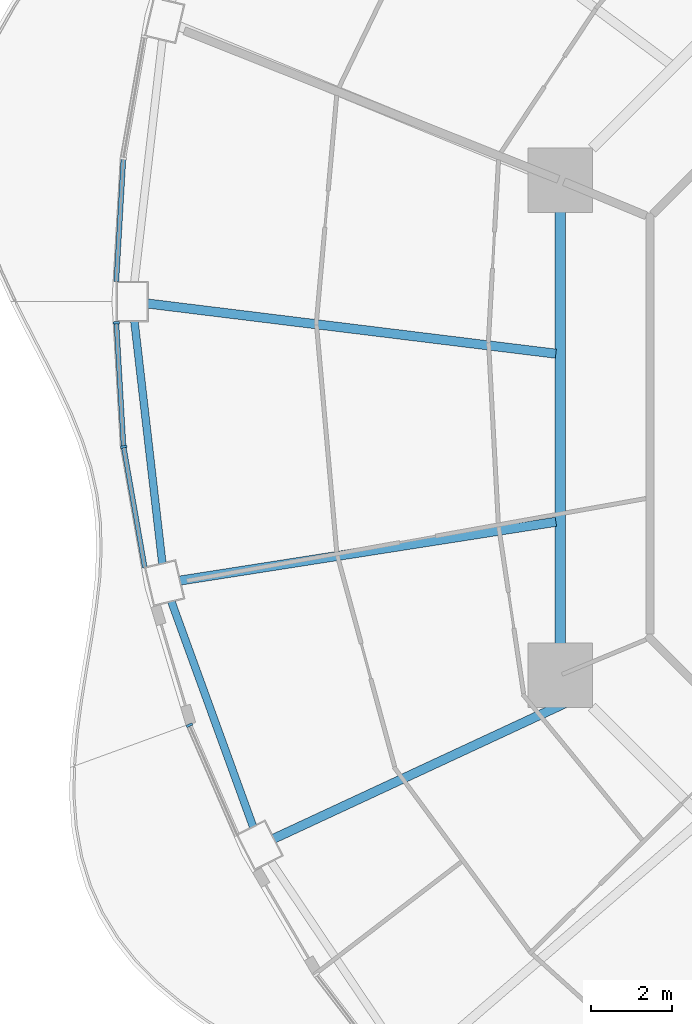
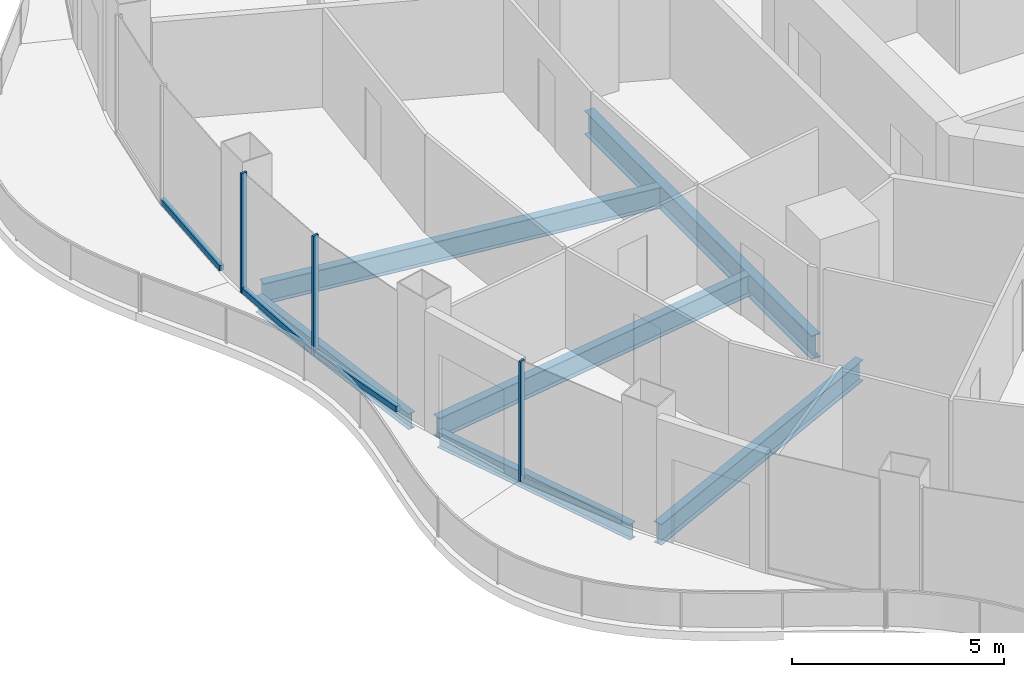
# One storey, part 3 of 18: 6 beams, 6 members, 4 elements without a shape of their own.
"""IFC4 building model written with IfcOpenShell, lengths in metres."""

import ifcopenshell
import ifcopenshell.guid

model = None  # the IFC model being written
_history = None  # IfcOwnerHistory: only IFC2X3 demands one
_inside = {}  # id of a spatial element -> (the spatial element, [elements in it])
_under = {}  # id of a project, library or spatial element -> (it, [spatial elements below it])
_declared = {}  # id of a project -> (the project, [libraries it declares])
_typed = {}  # id of a type object -> (the type object, [elements of that type])
_made_of = {}  # id of a material, layer set ... -> (it, [elements and type objects made of it])


def new_model(schema):
    """Start an empty IFC model of exactly this schema.

    Asked for "IFC4X3", IfcOpenShell would pick the latest addendum, in which some entities
    have other attributes; the version numbers below select the first issue.
    IFC2X3 requires an IfcOwnerHistory on every rooted entity: one is made here for all.
    """
    global model, _history
    if schema == "IFC4X3":
        model = ifcopenshell.file(schema_version=(4, 3, 0, 0))
    else:
        model = ifcopenshell.file(schema=schema)
    _inside.clear()
    _under.clear()
    _declared.clear()
    _typed.clear()
    _made_of.clear()
    _history = None
    if model.schema == "IFC2X3":
        org = make("IfcOrganization", Name="unknown")
        user = make(
            "IfcPersonAndOrganization",
            ThePerson=make("IfcPerson", FamilyName="unknown"),
            TheOrganization=org,
        )
        app = make(
            "IfcApplication",
            ApplicationDeveloper=org,
            Version="unknown",
            ApplicationFullName="unknown",
            ApplicationIdentifier="unknown",
        )
        _history = make(
            "IfcOwnerHistory",
            OwningUser=user,
            OwningApplication=app,
            ChangeAction="ADDED",
            CreationDate=0,
        )
    return model


def make(cls, **values):
    """One entity of the class cls with the attributes given. An attribute that is None is left unset."""
    return model.create_entity(
        cls, **{name: value for name, value in values.items() if value is not None}
    )


def rooted(cls, **values):
    """An entity with a GlobalId (a new one), such as an element, a storey or a relation."""
    return make(cls, GlobalId=ifcopenshell.guid.new(), OwnerHistory=_history, **values)


def si_unit(unit_type, name, prefix=None):
    """IfcSIUnit, for example si_unit("LENGTHUNIT", "METRE", prefix="MILLI")."""
    return make("IfcSIUnit", UnitType=unit_type, Prefix=prefix, Name=name)


def assignment(units):
    """IfcUnitAssignment: the units of a project."""
    return None if units is None else make("IfcUnitAssignment", Units=units)


def point(xyz):
    """IfcCartesianPoint."""
    return None if xyz is None else make("IfcCartesianPoint", Coordinates=xyz)


def direction(xyz):
    """IfcDirection."""
    return None if xyz is None else make("IfcDirection", DirectionRatios=xyz)


def frame(location, z_axis=None, x_axis=None):
    """IfcAxis2Placement3D, a coordinate frame: its origin and axes. An axis left out is left unset."""
    return make(
        "IfcAxis2Placement3D",
        Location=point(location),
        Axis=direction(z_axis),
        RefDirection=direction(x_axis),
    )


def frame_2d(location, x_axis=None):
    """IfcAxis2Placement2D, a coordinate frame in the plane: its origin and x axis."""
    return make(
        "IfcAxis2Placement2D", Location=point(location), RefDirection=direction(x_axis)
    )


def origin():
    """The frame at (0, 0, 0) with its axes left unset."""
    return frame((0.0, 0.0, 0.0))


def origin_2d():
    """The frame at (0, 0) in the plane with its x axis left unset."""
    return frame_2d((0.0, 0.0))


def place(relative_to, where):
    """IfcLocalPlacement: puts the frame where relative to a parent placement (None: the world)."""
    return make(
        "IfcLocalPlacement", PlacementRelTo=relative_to, RelativePlacement=where
    )


def context(
    kind, dimensions, precision=None, world=None, true_north=None, identifier=None
):
    """IfcGeometricRepresentationContext, for example the 3D "Model" context."""
    return make(
        "IfcGeometricRepresentationContext",
        ContextIdentifier=identifier,
        ContextType=kind,
        CoordinateSpaceDimension=dimensions,
        Precision=precision,
        WorldCoordinateSystem=world,
        TrueNorth=true_north,
    )


def subcontext(parent, identifier, kind, view, scale=None):
    """IfcGeometricRepresentationSubContext, for example "Body" below "Model"."""
    return make(
        "IfcGeometricRepresentationSubContext",
        ContextIdentifier=identifier,
        ContextType=kind,
        ParentContext=parent,
        TargetScale=scale,
        TargetView=view,
    )


def project(units=None, contexts=None):
    """IfcProject with its units and contexts."""
    return rooted(
        "IfcProject",
        Name="project",
        RepresentationContexts=contexts,
        UnitsInContext=assignment(units),
    )


def spatial(cls, under=None, at=None, **own):
    """A site, building, storey or space (cls), placed at a placement, below another one or the project."""
    s = rooted(cls, ObjectPlacement=at, **own)
    if under is not None:
        _under.setdefault(under.id(), (under, []))[1].append(s)
    return s


def profile(cls, at=None, kind="AREA", **sizes):
    """A parametric profile (cls). Its sizes go by their IFC names, for example OverallWidth=200.0."""
    return make(cls, ProfileType=kind, Position=at, **sizes)


def rectangle(**sizes):
    """IfcRectangleProfileDef."""
    return profile("IfcRectangleProfileDef", **sizes)


def i_section(**sizes):
    """IfcIShapeProfileDef."""
    return profile("IfcIShapeProfileDef", **sizes)


def extrude(swept, where, along, depth):
    """IfcExtrudedAreaSolid: the profile swept, set in the frame where, extruded along a direction by depth."""
    return make(
        "IfcExtrudedAreaSolid",
        SweptArea=swept,
        Position=where,
        ExtrudedDirection=direction(along),
        Depth=depth,
    )


def shape(context_of_items, identifier, shape_type, items):
    """IfcShapeRepresentation: the items that make up one representation, for example the "Body"."""
    return make(
        "IfcShapeRepresentation",
        ContextOfItems=context_of_items,
        RepresentationIdentifier=identifier,
        RepresentationType=shape_type,
        Items=items,
    )


def material(Name=None, Category=None):
    """IfcMaterial."""
    return make("IfcMaterial", Name=Name, Category=Category)


def layer(
    of_material, thickness, ventilated=None, Name=None, Category=None, Priority=None
):
    """IfcMaterialLayer: one layer of a wall or slab, of a material (None: an air gap)."""
    return make(
        "IfcMaterialLayer",
        Material=of_material,
        LayerThickness=thickness,
        IsVentilated=ventilated,
        Name=Name,
        Category=Category,
        Priority=Priority,
    )


def layer_set(layers, Name=None):
    """IfcMaterialLayerSet."""
    return make("IfcMaterialLayerSet", MaterialLayers=layers, LayerSetName=Name)


def material_profile(
    of_material, cross_section, Name=None, Category=None, Priority=None
):
    """IfcMaterialProfile: a cross section and its material."""
    return make(
        "IfcMaterialProfile",
        Name=Name,
        Material=of_material,
        Profile=cross_section,
        Priority=Priority,
        Category=Category,
    )


def profile_set(profiles, Name=None, composite=None):
    """IfcMaterialProfileSet."""
    return make(
        "IfcMaterialProfileSet",
        Name=Name,
        MaterialProfiles=profiles,
        CompositeProfile=composite,
    )


def made_of(thing, what):
    """Note that an element or type object is made of a material, layer set ...; save() writes the relation."""
    if what is not None:
        _made_of.setdefault(what.id(), (what, []))[1].append(thing)
    return thing


def type_object(cls, material=None, **own):
    """A type object (cls), such as IfcWallType, which elements share."""
    return made_of(rooted(cls, **own), material)


def element(
    cls,
    number,
    at=None,
    inside=None,
    cuts=None,
    type_object=None,
    material=None,
    context=None,
    identifier="Body",
    shape_type=None,
    held_by="IfcProductDefinitionShape",
    body=None,
    shapes=None,
    **own,
):
    """One element of the class cls, such as IfcWall. Its Tag is "e" and its number.

    at: its placement. inside: the storey or other place that contains it. cuts: it is an
    opening in that element (IfcRelVoidsElement). A single representation is given by context,
    identifier, shape_type and body (its items); several are given by shapes. held_by: the class
    of the entity that holds the representations. save() writes the other relations.
    """
    e = rooted(cls, Tag="e%d" % number, ObjectPlacement=at, **own)
    if body is not None:
        shapes = [shape(context, identifier, shape_type, body)]
    if shapes is not None:
        e.Representation = make(held_by, Representations=shapes)
    if inside is not None:
        _inside.setdefault(inside.id(), (inside, []))[1].append(e)
    if cuts is not None:
        rooted(
            "IfcRelVoidsElement", RelatingBuildingElement=cuts, RelatedOpeningElement=e
        )
    if type_object is not None:
        _typed.setdefault(type_object.id(), (type_object, []))[1].append(e)
    return made_of(e, material)


def aggregate(whole, parts):
    """IfcRelAggregates: a whole, such as a stair, and the parts it consists of."""
    return rooted("IfcRelAggregates", RelatingObject=whole, RelatedObjects=parts)


def save(model, path):
    """Write the relations noted so far, then the file.

    IfcRelAggregates (storeys below a building ...), IfcRelContainedInSpatialStructure (elements
    in a storey), IfcRelDefinesByType, IfcRelAssociatesMaterial and IfcRelDeclares: one each for
    every whole, place, type object, material and project.
    """
    for whole, parts in _under.values():
        aggregate(whole, parts)
    for where, things in _inside.values():
        rooted(
            "IfcRelContainedInSpatialStructure",
            RelatedElements=things,
            RelatingStructure=where,
        )
    for kind, things in _typed.values():
        rooted("IfcRelDefinesByType", RelatedObjects=things, RelatingType=kind)
    for what, things in _made_of.values():
        rooted("IfcRelAssociatesMaterial", RelatedObjects=things, RelatingMaterial=what)
    for by, libraries in _declared.values():
        rooted("IfcRelDeclares", RelatingContext=by, RelatedDefinitions=libraries)
    model.write(path)


model = new_model("IFC4")

# Units and contexts
model_context = context("Model", 3, precision=1e-05, world=origin(), true_north=direction((0.0, 1.0)))
body_context = subcontext(model_context, "Body", "Model", "MODEL_VIEW")
ifc_project = project(units=[si_unit("LENGTHUNIT", "METRE"), si_unit("AREAUNIT", "SQUARE_METRE"), si_unit("VOLUMEUNIT", "CUBIC_METRE"), si_unit("PLANEANGLEUNIT", "RADIAN"), si_unit("MASSUNIT", "GRAM", prefix="KILO")], contexts=[model_context])

# Site, building, storey
site_placement = place(None, origin())
site = spatial("IfcSite", under=ifc_project, at=site_placement, CompositionType="ELEMENT")
building_placement = place(site_placement, origin())
building = spatial("IfcBuilding", under=site, at=building_placement, Name="Nagisa Residences", CompositionType="ELEMENT")
storey_placement = place(building_placement, frame((0.0, 0.0, 234.39990234375)))
storey = spatial("IfcBuildingStorey", under=building, at=storey_placement, Name="L59", CompositionType="ELEMENT", Elevation=234.39990234375)

# Curtain wall, member
ifc_material_1 = material(Name="Concrete-coloured aluminium curtain wall system", Category="concrete")
ifc_layer = layer(ifc_material_1, 0.159912109375)
ifc_layer_set = layer_set([ifc_layer], Name="CW1 CURTAIN WALL")
curtain_wall_type = type_object("IfcCurtainWallType", Name="CW1 CURTAIN WALL", PredefinedType="NOTDEFINED", material=ifc_layer_set)
curtain_wall_1_placement = place(storey_placement, origin())
curtain_wall_1 = element("IfcCurtainWall", 1, at=curtain_wall_1_placement, inside=storey, type_object=curtain_wall_type, Name="cw:CW1:L59:24", PredefinedType="NOTDEFINED")
ifc_material_2 = material(Name="Concrete-coloured aluminium", Category="concrete")
ifc_material_profile_1 = material_profile(ifc_material_2, rectangle(XDim=0.159912109375, YDim=0.06005859375, at=origin_2d()), Name="CW1 MULLION 160x60")
ifc_profile_set_1 = profile_set([ifc_material_profile_1], Name="Concrete-coloured aluminium")
member_type_1 = type_object("IfcMemberType", Name="CW1 MULLION 160x60", PredefinedType="MULLION", material=ifc_profile_set_1)
member_1_placement = place(storey_placement, frame((-25.759765625, 2.59326171875, 0.0), z_axis=(0.0, 0.0, 1.0), x_axis=(0.998345305184, 0.057503492216, 0.0)))
member_1 = element("IfcMember", 2, at=member_1_placement, type_object=member_type_1, Name="CW1 mullion", PredefinedType="MULLION", context=body_context, shape_type="SweptSolid", body=[
    extrude(rectangle(XDim=0.159912109375, YDim=0.06005859375, at=origin_2d()), origin(), (0.0, 0.0, 1.0), 3.440185546875),
])

curtain_wall_2_placement = place(storey_placement, origin())
curtain_wall_2 = element("IfcCurtainWall", 3, at=curtain_wall_2_placement, inside=storey, type_object=curtain_wall_type, Name="cw:CW1:L59:25", PredefinedType="NOTDEFINED")
member_2_placement = place(storey_placement, frame((-25.580078125, -0.47314453125, 0.0), z_axis=(0.0, 0.0, 1.0), x_axis=(0.985063604377, 0.172190868898, 0.0)))
member_2 = element("IfcMember", 4, at=member_2_placement, type_object=member_type_1, Name="CW1 mullion", PredefinedType="MULLION", context=body_context, shape_type="SweptSolid", body=[
    extrude(rectangle(XDim=0.159912109375, YDim=0.06005859375, at=origin_2d()), origin(), (0.0, 0.0, 1.0), 3.440185546875),
])

curtain_wall_3_placement = place(storey_placement, origin())
curtain_wall_3 = element("IfcCurtainWall", 5, at=curtain_wall_3_placement, inside=storey, type_object=curtain_wall_type, Name="cw:CW1:L59:27", PredefinedType="NOTDEFINED")
member_3_placement = place(storey_placement, frame((-23.952392578125, -7.359619140625, 0.0), z_axis=(0.0, 0.0, 1.0), x_axis=(0.917543276295, 0.397635934147, 0.0)))
member_3 = element("IfcMember", 6, at=member_3_placement, type_object=member_type_1, Name="CW1 mullion", PredefinedType="MULLION", context=body_context, shape_type="SweptSolid", body=[
    extrude(rectangle(XDim=0.159912109375, YDim=0.06005859375, at=origin_2d()), origin(), (0.0, 0.0, 1.0), 3.440185546875),
])
aggregate(curtain_wall_3, [member_3])

curtain_wall_4_placement = place(storey_placement, origin())
curtain_wall_4 = element("IfcCurtainWall", 7, at=curtain_wall_4_placement, inside=storey, type_object=curtain_wall_type, Name="cw:CW1:L59:23", PredefinedType="NOTDEFINED")
ifc_material_3 = material(Name="Concrete-coloured aluminium", Category="concrete")
ifc_material_profile_2 = material_profile(ifc_material_3, rectangle(XDim=0.1201171875, YDim=0.14990234375, at=origin_2d()), Name="CW1 TRANSOM 120x150")
ifc_profile_set_2 = profile_set([ifc_material_profile_2], Name="Concrete-coloured aluminium")
member_type_2 = type_object("IfcMemberType", Name="CW1 TRANSOM 120x150", PredefinedType="USERDEFINED", material=ifc_profile_set_2)
member_4_placement = place(storey_placement, frame((-25.584228515625, 6.688232421875, 0.0751953125), z_axis=(-0.057528189427, -0.998343882348, 0.0), x_axis=(0.998343882348, -0.057528189427, 0.0)))
member_4 = element("IfcMember", 8, at=member_4_placement, type_object=member_type_2, Name="CW1 transom", ObjectType="TRANSOM", PredefinedType="USERDEFINED", context=body_context, shape_type="SweptSolid", body=[
    extrude(rectangle(XDim=0.1201171875, YDim=0.14990234375, at=origin_2d()), origin(), (0.0, 0.0, 1.0), 3.0810546875),
])
aggregate(curtain_wall_4, [member_4])

# Member
member_5_placement = place(storey_placement, frame((-25.761474609375, 2.623046875, 0.0751953125), z_axis=(0.057528189427, -0.998343882348, 0.0), x_axis=(0.998343882348, 0.057528189427, 0.0)))
member_5 = element("IfcMember", 9, at=member_5_placement, type_object=member_type_2, Name="CW1 transom", ObjectType="TRANSOM", PredefinedType="USERDEFINED", context=body_context, shape_type="SweptSolid", body=[
    extrude(rectangle(XDim=0.1201171875, YDim=0.14990234375, at=origin_2d()), origin(), (0.0, 0.0, 1.0), 3.0810546875),
])

aggregate(curtain_wall_1, [member_1, member_5])

member_6_placement = place(storey_placement, frame((-25.585205078125, -0.443603515625, 0.0751953125), z_axis=(0.172164083933, -0.985068286061, 0.0), x_axis=(0.985068286061, 0.172164083933, 0.0)))
member_6 = element("IfcMember", 10, at=member_6_placement, type_object=member_type_2, Name="CW1 transom", ObjectType="TRANSOM", PredefinedType="USERDEFINED", context=body_context, shape_type="SweptSolid", body=[
    extrude(rectangle(XDim=0.1201171875, YDim=0.14990234375, at=origin_2d()), origin(), (0.0, 0.0, 1.0), 3.0673828125),
])

aggregate(curtain_wall_2, [member_2, member_6])

# Beams
ifc_material_4 = material(Name="Steel ASTM A572 Gr 50", Category="steel")
ifc_material_profile_3 = material_profile(ifc_material_4, i_section(OverallWidth=0.2529296875, OverallDepth=0.677978515625, WebThickness=0.01171875, FlangeThickness=0.016357421875, at=origin_2d()), Name="W690x125")
ifc_profile_set_3 = profile_set([ifc_material_profile_3], Name="Steel ASTM A572 Gr 50")
beam_type_1 = type_object("IfcBeamType", Name="Inner ring beam W690x125", PredefinedType="BEAM", material=ifc_profile_set_3)
beam_1_placement = place(storey_placement, frame((-14.781982421875, 5.343017578125, -0.598876953125), z_axis=(0.0, -1.0, 0.0), x_axis=(1.0, 0.0, 0.0)))
element("IfcBeam", 11, at=beam_1_placement, inside=storey, type_object=beam_type_1, Name="beam:L59:ib4", PredefinedType="BEAM", context=body_context, shape_type="SweptSolid", body=[
    extrude(i_section(OverallWidth=0.2529296875, OverallDepth=0.677978515625, WebThickness=0.01171875, FlangeThickness=0.016357421875, at=origin_2d()), origin(), (0.0, 0.0, 1.0), 10.68603515625),
])
ifc_material_5 = material(Name="Steel ASTM A572 Gr 50", Category="steel")
ifc_material_profile_4 = material_profile(ifc_material_5, i_section(OverallWidth=0.18994140625, OverallDepth=0.45703125, WebThickness=0.009033203125, FlangeThickness=0.014404296875, at=origin_2d()), Name="W460x74")
ifc_profile_set_4 = profile_set([ifc_material_profile_4], Name="Steel ASTM A572 Gr 50")
beam_type_2 = type_object("IfcBeamType", Name="Perimeter ring beam W460x74", PredefinedType="BEAM", material=ifc_profile_set_4)
beam_2_placement = place(storey_placement, frame((-25.314697265625, 2.637451171875, -0.48828125), z_axis=(0.114650193512, -0.993405925656, 0.0), x_axis=(0.993405925656, 0.114650193512, 0.0)))
element("IfcBeam", 12, at=beam_2_placement, inside=storey, type_object=beam_type_2, Name="beam:L59:pb13", PredefinedType="BEAM", context=body_context, shape_type="SweptSolid", body=[
    extrude(i_section(OverallWidth=0.18994140625, OverallDepth=0.45703125, WebThickness=0.009033203125, FlangeThickness=0.014404296875, at=origin_2d()), origin(), (0.0, 0.0, 1.0), 6.0390625),
])
beam_3_placement = place(storey_placement, frame((-24.40185546875, -4.29638671875, -0.48828125), z_axis=(0.341290329164, -0.939957930558, 0.0), x_axis=(0.939957930558, 0.341290329164, 0.0)))
element("IfcBeam", 13, at=beam_3_placement, inside=storey, type_object=beam_type_2, Name="beam:L59:pb14", PredefinedType="BEAM", context=body_context, shape_type="SweptSolid", body=[
    extrude(i_section(OverallWidth=0.18994140625, OverallDepth=0.45703125, WebThickness=0.009033203125, FlangeThickness=0.014404296875, at=origin_2d()), origin(), (0.0, 0.0, 1.0), 5.932373046875),
])
ifc_material_6 = material(Name="Steel ASTM A572 Gr 50", Category="steel")
ifc_material_profile_5 = material_profile(ifc_material_6, i_section(OverallWidth=0.22802734375, OverallDepth=0.60302734375, WebThickness=0.010498046875, FlangeThickness=0.014892578125, at=origin_2d()), Name="W610x101")
ifc_profile_set_5 = profile_set([ifc_material_profile_5], Name="Steel ASTM A572 Gr 50")
beam_type_3 = type_object("IfcBeamType", Name="Radial beam W610x101", PredefinedType="BEAM", material=ifc_profile_set_5)
beam_4_placement = place(storey_placement, frame((-24.98974609375, 3.071044921875, -0.5615234375), z_axis=(0.992531892614, -0.121985417749, 0.0), x_axis=(0.121985417749, 0.992531892614, 0.0)))
element("IfcBeam", 14, at=beam_4_placement, inside=storey, type_object=beam_type_3, Name="beam:L59:rb13", PredefinedType="BEAM", context=body_context, shape_type="SweptSolid", body=[
    extrude(i_section(OverallWidth=0.22802734375, OverallDepth=0.60302734375, WebThickness=0.010498046875, FlangeThickness=0.014892578125, at=origin_2d()), origin(), (0.0, 0.0, 1.0), 10.177001953125),
])
beam_5_placement = place(storey_placement, frame((-24.190185546875, -3.782958984375, -0.5615234375), z_axis=(0.987991506145, 0.154508199738, 0.0), x_axis=(-0.154508199738, 0.987991506145, 0.0)))
element("IfcBeam", 15, at=beam_5_placement, inside=storey, type_object=beam_type_3, Name="beam:L59:rb14", PredefinedType="BEAM", context=body_context, shape_type="SweptSolid", body=[
    extrude(i_section(OverallWidth=0.22802734375, OverallDepth=0.60302734375, WebThickness=0.010498046875, FlangeThickness=0.014892578125, at=origin_2d()), origin(), (0.0, 0.0, 1.0), 9.414306640625),
])
beam_6_placement = place(storey_placement, frame((-21.867431640625, -10.1669921875, -0.5615234375), z_axis=(0.906781531642, 0.421600822903, 0.0), x_axis=(-0.421600822903, 0.906781531642, 0.0)))
element("IfcBeam", 16, at=beam_6_placement, inside=storey, type_object=beam_type_3, Name="beam:L59:rb15", PredefinedType="BEAM", context=body_context, shape_type="SweptSolid", body=[
    extrude(i_section(OverallWidth=0.22802734375, OverallDepth=0.60302734375, WebThickness=0.010498046875, FlangeThickness=0.014892578125, at=origin_2d()), origin(), (0.0, 0.0, 1.0), 8.263427734375),
])

save(model, "model.ifc")
